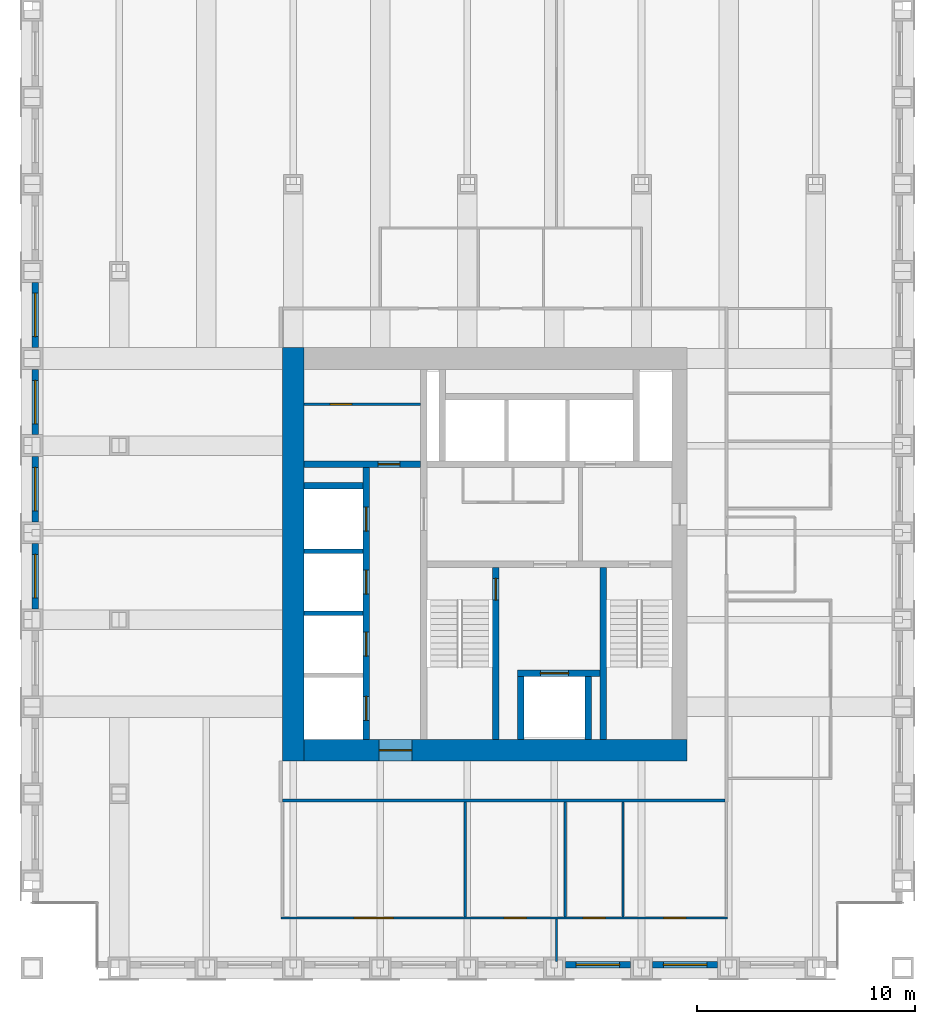
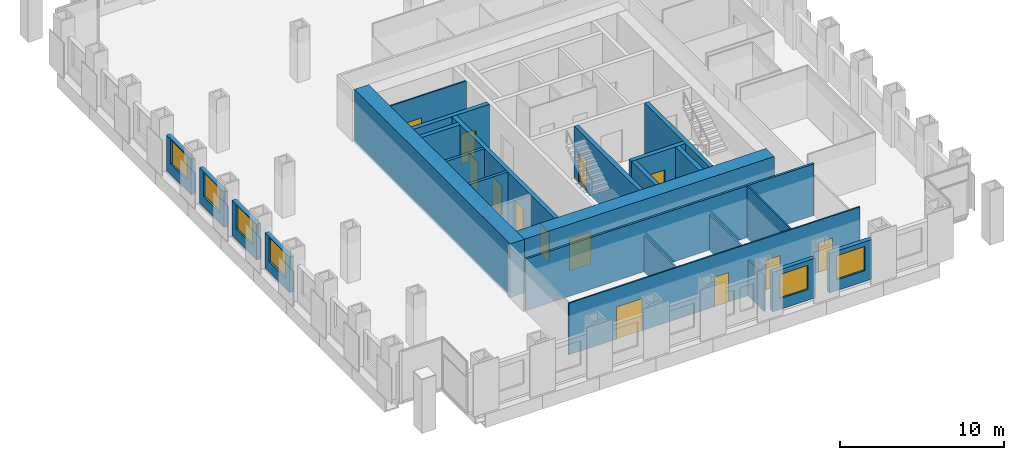
# One storey, part 9 of 13: 25 walls, 13 doors, 6 windows, 19 openings.
"""IFC4 building model written with IfcOpenShell, lengths in metres."""

from ifc_helpers import new_model, si_unit, direction, frame, frame_2d, origin, place, context, subcontext, project, spatial, rectangle, extrude, material, layer, layer_set, type_object, element, fill, save


model = new_model("IFC4")

# Units and contexts
model_context = context("Model", 3, precision=1e-05, world=origin(), true_north=direction((0.0, 1.0)))
body_context = subcontext(model_context, "Body", "Model", "MODEL_VIEW")
ifc_project = project(units=[si_unit("LENGTHUNIT", "METRE"), si_unit("AREAUNIT", "SQUARE_METRE"), si_unit("VOLUMEUNIT", "CUBIC_METRE"), si_unit("PLANEANGLEUNIT", "RADIAN"), si_unit("MASSUNIT", "GRAM", prefix="KILO")], contexts=[model_context])

# Site, building, storey
site_placement = place(None, origin())
site = spatial("IfcSite", under=ifc_project, at=site_placement, CompositionType="ELEMENT")
building_placement = place(site_placement, origin())
building = spatial("IfcBuilding", under=site, at=building_placement, Name="Rimbunsela Tower", CompositionType="ELEMENT")
storey_placement = place(building_placement, frame((0.0, 0.0, 199.800048828125)))
storey = spatial("IfcBuildingStorey", under=building, at=storey_placement, Name="L48", CompositionType="ELEMENT", Elevation=199.800048828125)

# Wall, opening, door
ifc_material_1 = material(Name="Concrete fc' 80 MPa", Category="concrete")
ifc_layer_1 = layer(ifc_material_1, 0.300048828125)
ifc_layer_set_1 = layer_set([ifc_layer_1], Name="Core internal wall 300")
wall_type_1 = type_object("IfcWallType", Name="Core internal wall 300", PredefinedType="SHEAR", material=ifc_layer_set_1)
wall_1_placement = place(storey_placement, frame((27.300048828125, 18.5, -0.150146484375), z_axis=(0.0, 0.0, 1.0), x_axis=(0.0, 1.0, 0.0)))
wall_1 = element("IfcWall", 1, at=wall_1_placement, inside=storey, type_object=wall_type_1, Name="Stair A enclosure", PredefinedType="SHEAR", context=body_context, shape_type="SweptSolid", body=[
    extrude(rectangle(XDim=7.89990234375, YDim=0.300048828125, at=frame_2d((3.949951171875, 0.0))), origin(), (0.0, 0.0, 1.0), 4.0),
])
opening_1_placement = place(wall_1_placement, frame((6.39990234375, 0.0, 0.14990234375)))
opening_1 = element("IfcOpeningElement", 2, at=opening_1_placement, cuts=wall_1, Name="Opening D01", PredefinedType="OPENING", context=body_context, shape_type="SweptSolid", body=[
    extrude(rectangle(XDim=1.0, YDim=2.199951171875, at=frame_2d((0.5, 1.10009765625))), frame((0.0, 0.159912109375, 0.0), z_axis=(0.0, -1.0, 0.0), x_axis=(1.0, 0.0, 0.0)), (0.0, 0.0, 1.0), 0.320068359375),
])
ifc_material_2 = material(Name="Steel door, fire rated", Category="steel")
door_type_1 = type_object("IfcDoorType", Name="Stair door 1000", OperationType="SINGLE_SWING_RIGHT", PredefinedType="DOOR", material=ifc_material_2)
door_1_placement = place(opening_1_placement, origin())
door_1 = element("IfcDoor", 3, at=door_1_placement, inside=storey, type_object=door_type_1, Name="Stair A door", OperationType="SINGLE_SWING_RIGHT", OverallHeight=2.199951171875, OverallWidth=1.0, PredefinedType="DOOR", context=body_context, shape_type="SweptSolid", body=[
    extrude(rectangle(XDim=1.0, YDim=2.199951171875, at=frame_2d((0.5, 1.10009765625))), frame((0.0, 0.02490234375, 0.0), z_axis=(0.0, -1.0, 0.0), x_axis=(1.0, 0.0, 0.0)), (0.0, 0.0, 1.0), 0.050048828125),
])
fill(opening_1, door_1)

# Walls
wall_2_placement = place(storey_placement, frame((32.25, 18.5, -0.150146484375), z_axis=(0.0, 0.0, 1.0), x_axis=(0.0, 1.0, 0.0)))
element("IfcWall", 4, at=wall_2_placement, inside=storey, type_object=wall_type_1, Name="Stair B enclosure", PredefinedType="SHEAR", context=body_context, shape_type="SweptSolid", body=[
    extrude(rectangle(XDim=7.89990234375, YDim=0.300048828125, at=frame_2d((3.949951171875, 0.0))), origin(), (0.0, 0.0, 1.0), 4.0),
])
for number, where, z_axis, x_axis, name in (
    (5, (28.449951171875, 18.5, -0.150146484375), (0.0, 0.0, 1.0), (0.0, 1.0, 0.0), "Firefighting lift shaft west"),
    (6, (31.550048828125, 18.5, -0.150146484375), (0.0, 0.0, 1.0), (0.0, 1.0, 0.0), "Firefighting lift shaft east"),
):
    element("IfcWall", number, at=place(storey_placement, frame(where, z_axis=z_axis, x_axis=x_axis)), inside=storey, type_object=wall_type_1, Name=name, PredefinedType="SHEAR", context=body_context, shape_type="SweptSolid", body=[
        extrude(rectangle(XDim=2.89990234375, YDim=0.300048828125, at=frame_2d((1.449951171875, 0.0))), origin(), (0.0, 0.0, 1.0), 4.0),
    ])

# Wall, opening, door
wall_3_placement = place(storey_placement, frame((28.300048828125, 21.550048828125, -0.150146484375), z_axis=(0.0, 0.0, 1.0), x_axis=(1.0, 0.0, 0.0)))
wall_3 = element("IfcWall", 7, at=wall_3_placement, inside=storey, type_object=wall_type_1, Name="Firefighting lift shaft front", PredefinedType="SHEAR", context=body_context, shape_type="SweptSolid", body=[
    extrude(rectangle(XDim=3.800048828125, YDim=0.300048828125, at=frame_2d((1.89990234375, 0.0))), origin(), (0.0, 0.0, 1.0), 4.0),
])
opening_2_placement = place(wall_3_placement, frame((1.050048828125, 0.0, 0.14990234375)))
opening_2 = element("IfcOpeningElement", 8, at=opening_2_placement, cuts=wall_3, Name="Opening LD2", PredefinedType="OPENING", context=body_context, shape_type="SweptSolid", body=[
    extrude(rectangle(XDim=1.300048828125, YDim=2.39990234375, at=frame_2d((0.64990234375, 1.199951171875))), frame((0.0, 0.159912109375, 0.0), z_axis=(0.0, -1.0, 0.0), x_axis=(1.0, 0.0, 0.0)), (0.0, 0.0, 1.0), 0.320068359375),
])
ifc_material_3 = material(Name="Steel door, fire rated", Category="steel")
door_type_2 = type_object("IfcDoorType", Name="Lift landing door 1300", OperationType="DOUBLE_DOOR_SLIDING", PredefinedType="DOOR", material=ifc_material_3)
door_2_placement = place(opening_2_placement, origin())
door_2 = element("IfcDoor", 9, at=door_2_placement, inside=storey, type_object=door_type_2, Name="Lift landing door FL1", OperationType="DOUBLE_DOOR_SLIDING", OverallHeight=2.39990234375, OverallWidth=1.300048828125, PredefinedType="DOOR", context=body_context, shape_type="SweptSolid", body=[
    extrude(rectangle(XDim=1.300048828125, YDim=2.39990234375, at=frame_2d((0.64990234375, 1.199951171875))), frame((0.0, 0.02490234375, 0.0), z_axis=(0.0, -1.0, 0.0), x_axis=(1.0, 0.0, 0.0)), (0.0, 0.0, 1.0), 0.050048828125),
])
fill(opening_2, door_2)

# Wall, openings, doors
wall_4_placement = place(storey_placement, frame((21.35009765625, 18.5, -0.150146484375), z_axis=(0.0, 0.0, 1.0), x_axis=(0.0, 1.0, 0.0)))
wall_4 = element("IfcWall", 10, at=wall_4_placement, inside=storey, type_object=wall_type_1, Name="Lift shaft front west", PredefinedType="SHEAR", context=body_context, shape_type="SweptSolid", body=[
    extrude(rectangle(XDim=12.5, YDim=0.300048828125, at=frame_2d((6.25, 0.0))), origin(), (0.0, 0.0, 1.0), 4.0),
])
opening_3_placement = place(wall_4_placement, frame((0.875, 0.0, 0.14990234375)))
opening_3 = element("IfcOpeningElement", 11, at=opening_3_placement, cuts=wall_4, Name="Opening LD1", PredefinedType="OPENING", context=body_context, shape_type="SweptSolid", body=[
    extrude(rectangle(XDim=1.10009765625, YDim=2.199951171875, at=frame_2d((0.550048828125, 1.10009765625))), frame((0.0, 0.159912109375, 0.0), z_axis=(0.0, -1.0, 0.0), x_axis=(1.0, 0.0, 0.0)), (0.0, 0.0, 1.0), 0.320068359375),
])
opening_4_placement = place(wall_4_placement, frame((3.824951171875, 0.0, 0.14990234375)))
opening_4 = element("IfcOpeningElement", 12, at=opening_4_placement, cuts=wall_4, Name="Opening LD1", PredefinedType="OPENING", context=body_context, shape_type="SweptSolid", body=[
    extrude(rectangle(XDim=1.10009765625, YDim=2.199951171875, at=frame_2d((0.550048828125, 1.10009765625))), frame((0.0, 0.159912109375, 0.0), z_axis=(0.0, -1.0, 0.0), x_axis=(1.0, 0.0, 0.0)), (0.0, 0.0, 1.0), 0.320068359375),
])
opening_5_placement = place(wall_4_placement, frame((6.675048828125, 0.0, 0.14990234375)))
opening_5 = element("IfcOpeningElement", 13, at=opening_5_placement, cuts=wall_4, Name="Opening LD1", PredefinedType="OPENING", context=body_context, shape_type="SweptSolid", body=[
    extrude(rectangle(XDim=1.10009765625, YDim=2.199951171875, at=frame_2d((0.550048828125, 1.10009765625))), frame((0.0, 0.159912109375, 0.0), z_axis=(0.0, -1.0, 0.0), x_axis=(1.0, 0.0, 0.0)), (0.0, 0.0, 1.0), 0.320068359375),
])
opening_6_placement = place(wall_4_placement, frame((9.574951171875, 0.0, 0.14990234375)))
opening_6 = element("IfcOpeningElement", 14, at=opening_6_placement, cuts=wall_4, Name="Opening LD1", PredefinedType="OPENING", context=body_context, shape_type="SweptSolid", body=[
    extrude(rectangle(XDim=1.10009765625, YDim=2.199951171875, at=frame_2d((0.550048828125, 1.10009765625))), frame((0.0, 0.159912109375, 0.0), z_axis=(0.0, -1.0, 0.0), x_axis=(1.0, 0.0, 0.0)), (0.0, 0.0, 1.0), 0.320068359375),
])
ifc_material_4 = material(Name="Steel door, fire rated", Category="steel")
door_type_3 = type_object("IfcDoorType", Name="Lift landing door 1100", OperationType="DOUBLE_DOOR_SLIDING", PredefinedType="DOOR", material=ifc_material_4)
door_3_placement = place(opening_3_placement, origin())
door_3 = element("IfcDoor", 15, at=door_3_placement, inside=storey, type_object=door_type_3, Name="Lift landing door HL1", OperationType="DOUBLE_DOOR_SLIDING", OverallHeight=2.199951171875, OverallWidth=1.10009765625, PredefinedType="DOOR", context=body_context, shape_type="SweptSolid", body=[
    extrude(rectangle(XDim=1.10009765625, YDim=2.199951171875, at=frame_2d((0.550048828125, 1.10009765625))), frame((0.0, 0.02490234375, 0.0), z_axis=(0.0, -1.0, 0.0), x_axis=(1.0, 0.0, 0.0)), (0.0, 0.0, 1.0), 0.050048828125),
])
fill(opening_3, door_3)
door_4_placement = place(opening_4_placement, origin())
door_4 = element("IfcDoor", 16, at=door_4_placement, inside=storey, type_object=door_type_3, Name="Lift landing door HL2", OperationType="DOUBLE_DOOR_SLIDING", OverallHeight=2.199951171875, OverallWidth=1.10009765625, PredefinedType="DOOR", context=body_context, shape_type="SweptSolid", body=[
    extrude(rectangle(XDim=1.10009765625, YDim=2.199951171875, at=frame_2d((0.550048828125, 1.10009765625))), frame((0.0, 0.02490234375, 0.0), z_axis=(0.0, -1.0, 0.0), x_axis=(1.0, 0.0, 0.0)), (0.0, 0.0, 1.0), 0.050048828125),
])
fill(opening_4, door_4)
door_5_placement = place(opening_5_placement, origin())
door_5 = element("IfcDoor", 17, at=door_5_placement, inside=storey, type_object=door_type_3, Name="Lift landing door HL3", OperationType="DOUBLE_DOOR_SLIDING", OverallHeight=2.199951171875, OverallWidth=1.10009765625, PredefinedType="DOOR", context=body_context, shape_type="SweptSolid", body=[
    extrude(rectangle(XDim=1.10009765625, YDim=2.199951171875, at=frame_2d((0.550048828125, 1.10009765625))), frame((0.0, 0.02490234375, 0.0), z_axis=(0.0, -1.0, 0.0), x_axis=(1.0, 0.0, 0.0)), (0.0, 0.0, 1.0), 0.050048828125),
])
fill(opening_5, door_5)
door_6_placement = place(opening_6_placement, origin())
door_6 = element("IfcDoor", 18, at=door_6_placement, inside=storey, type_object=door_type_3, Name="Lift landing door HL4", OperationType="DOUBLE_DOOR_SLIDING", OverallHeight=2.199951171875, OverallWidth=1.10009765625, PredefinedType="DOOR", context=body_context, shape_type="SweptSolid", body=[
    extrude(rectangle(XDim=1.10009765625, YDim=2.199951171875, at=frame_2d((0.550048828125, 1.10009765625))), frame((0.0, 0.02490234375, 0.0), z_axis=(0.0, -1.0, 0.0), x_axis=(1.0, 0.0, 0.0)), (0.0, 0.0, 1.0), 0.050048828125),
])
fill(opening_6, door_6)

# Wall, opening, door
wall_5_placement = place(storey_placement, frame((18.5, 31.14990234375, -0.150146484375), z_axis=(0.0, 0.0, 1.0), x_axis=(1.0, 0.0, 0.0)))
wall_5 = element("IfcWall", 19, at=wall_5_placement, inside=storey, type_object=wall_type_1, Name="Store wall", PredefinedType="SHEAR", context=body_context, shape_type="SweptSolid", body=[
    extrude(rectangle(XDim=5.35009765625, YDim=0.300048828125, at=frame_2d((2.675048828125, 0.0))), origin(), (0.0, 0.0, 1.0), 4.0),
])
opening_7_placement = place(wall_5_placement, frame((3.39990234375, 0.0, 0.14990234375)))
opening_7 = element("IfcOpeningElement", 20, at=opening_7_placement, cuts=wall_5, Name="Opening D19", PredefinedType="OPENING", context=body_context, shape_type="SweptSolid", body=[
    extrude(rectangle(XDim=1.0, YDim=2.199951171875, at=frame_2d((0.5, 1.10009765625))), frame((0.0, 0.159912109375, 0.0), z_axis=(0.0, -1.0, 0.0), x_axis=(1.0, 0.0, 0.0)), (0.0, 0.0, 1.0), 0.320068359375),
])
ifc_material_5 = material(Name="Steel door, fire rated", Category="steel")
door_type_4 = type_object("IfcDoorType", Name="Service door 1000 fire rated", OperationType="SINGLE_SWING_LEFT", PredefinedType="DOOR", material=ifc_material_5)
door_7_placement = place(opening_7_placement, origin())
door_7 = element("IfcDoor", 21, at=door_7_placement, inside=storey, type_object=door_type_4, Name="Cleaners store door", OperationType="SINGLE_SWING_LEFT", OverallHeight=2.199951171875, OverallWidth=1.0, PredefinedType="DOOR", context=body_context, shape_type="SweptSolid", body=[
    extrude(rectangle(XDim=1.0, YDim=2.199951171875, at=frame_2d((0.5, 1.10009765625))), frame((0.0, 0.02490234375, 0.0), z_axis=(0.0, -1.0, 0.0), x_axis=(1.0, 0.0, 0.0)), (0.0, 0.0, 1.0), 0.050048828125),
])
fill(opening_7, door_7)

# Wall
wall_6_placement = place(storey_placement, frame((18.5, 30.14990234375, -0.150146484375), z_axis=(0.0, 0.0, 1.0), x_axis=(1.0, 0.0, 0.0)))
element("IfcWall", 22, at=wall_6_placement, inside=storey, type_object=wall_type_1, Name="Lift shaft rear west", PredefinedType="SHEAR", context=body_context, shape_type="SweptSolid", body=[
    extrude(rectangle(XDim=2.699951171875, YDim=0.300048828125, at=frame_2d((1.35009765625, 0.0))), origin(), (0.0, 0.0, 1.0), 4.0),
])

# Wall, opening, door
ifc_material_6 = material(Name="Concrete blockwork", Category="masonry")
ifc_layer_2 = layer(ifc_material_6, 0.10009765625)
ifc_layer_set_2 = layer_set([ifc_layer_2], Name="Core room partition 100")
wall_type_2 = type_object("IfcWallType", Name="Core room partition 100", PredefinedType="PARTITIONING", material=ifc_layer_set_2)
wall_7_placement = place(storey_placement, frame((18.5, 33.89990234375, 0.0), z_axis=(0.0, 0.0, 1.0), x_axis=(1.0, 0.0, 0.0)))
wall_7 = element("IfcWall", 23, at=wall_7_placement, inside=storey, type_object=wall_type_2, Name="Tenant store wall", PredefinedType="PARTITIONING", context=body_context, shape_type="SweptSolid", body=[
    extrude(rectangle(XDim=5.35009765625, YDim=0.10009765625, at=frame_2d((2.675048828125, 0.0))), origin(), (0.0, 0.0, 1.0), 3.849853515625),
])
opening_8_placement = place(wall_7_placement, frame((1.199951171875, 0.0, 0.0)))
opening_8 = element("IfcOpeningElement", 24, at=opening_8_placement, cuts=wall_7, Name="Opening D19", PredefinedType="OPENING", context=body_context, shape_type="SweptSolid", body=[
    extrude(rectangle(XDim=1.0, YDim=2.199951171875, at=frame_2d((0.5, 1.10009765625))), frame((0.0, 0.06005859375, 0.0), z_axis=(0.0, -1.0, 0.0), x_axis=(1.0, 0.0, 0.0)), (0.0, 0.0, 1.0), 0.1201171875),
])
door_8_placement = place(opening_8_placement, origin())
door_8 = element("IfcDoor", 25, at=door_8_placement, inside=storey, type_object=door_type_4, Name="Tenant store door", OperationType="SINGLE_SWING_LEFT", OverallHeight=2.199951171875, OverallWidth=1.0, PredefinedType="DOOR", context=body_context, shape_type="SweptSolid", body=[
    extrude(rectangle(XDim=1.0, YDim=2.199951171875, at=frame_2d((0.5, 1.10009765625))), frame((0.0, 0.02490234375, 0.0), z_axis=(0.0, -1.0, 0.0), x_axis=(1.0, 0.0, 0.0)), (0.0, 0.0, 1.0), 0.050048828125),
])
fill(opening_8, door_8)

# Wall
ifc_material_7 = material(Name="Concrete fc' 80 MPa", Category="concrete")
ifc_layer_3 = layer(ifc_material_7, 1.0)
ifc_layer_set_3 = layer_set([ifc_layer_3], Name="Core wall 1000")
wall_type_3 = type_object("IfcWallType", Name="Core wall 1000", PredefinedType="SHEAR", material=ifc_layer_set_3)
wall_8_placement = place(storey_placement, frame((18.0, 17.5, -0.150146484375), z_axis=(0.0, 0.0, 1.0), x_axis=(0.0, 1.0, 0.0)))
element("IfcWall", 26, at=wall_8_placement, inside=storey, type_object=wall_type_3, Name="Core wall west", PredefinedType="SHEAR", context=body_context, shape_type="SweptSolid", body=[
    extrude(rectangle(XDim=19.0, YDim=1.0, at=frame_2d((9.5, 0.0))), origin(), (0.0, 0.0, 1.0), 4.0),
])

# Wall, opening, door
wall_9_placement = place(storey_placement, frame((18.5, 18.0, -0.150146484375), z_axis=(0.0, 0.0, 1.0), x_axis=(1.0, 0.0, 0.0)))
wall_9 = element("IfcWall", 27, at=wall_9_placement, inside=storey, type_object=wall_type_3, Name="Core wall south", PredefinedType="SHEAR", context=body_context, shape_type="SweptSolid", body=[
    extrude(rectangle(XDim=17.60009765625, YDim=1.0, at=frame_2d((8.800048828125, 0.0))), origin(), (0.0, 0.0, 1.0), 4.0),
])
opening_9_placement = place(wall_9_placement, frame((3.449951171875, 0.0, 0.14990234375)))
opening_9 = element("IfcOpeningElement", 28, at=opening_9_placement, cuts=wall_9, Name="Opening D03", PredefinedType="OPENING", context=body_context, shape_type="SweptSolid", body=[
    extrude(rectangle(XDim=1.5, YDim=2.39990234375, at=frame_2d((0.75, 1.199951171875))), frame((0.0, 0.510009765625, 0.0), z_axis=(0.0, -1.0, 0.0), x_axis=(1.0, 0.0, 0.0)), (0.0, 0.0, 1.0), 1.02001953125),
])
ifc_material_8 = material(Name="Steel door, fire rated", Category="steel")
door_type_5 = type_object("IfcDoorType", Name="Core lobby door 1500", OperationType="DOUBLE_DOOR_DOUBLE_SWING", PredefinedType="DOOR", material=ifc_material_8)
door_9_placement = place(opening_9_placement, origin())
door_9 = element("IfcDoor", 29, at=door_9_placement, inside=storey, type_object=door_type_5, Name="Core door south", OperationType="DOUBLE_DOOR_DOUBLE_SWING", OverallHeight=2.39990234375, OverallWidth=1.5, PredefinedType="DOOR", context=body_context, shape_type="SweptSolid", body=[
    extrude(rectangle(XDim=1.5, YDim=2.39990234375, at=frame_2d((0.75, 1.199951171875))), frame((0.0, 0.02490234375, 0.0), z_axis=(0.0, -1.0, 0.0), x_axis=(1.0, 0.0, 0.0)), (0.0, 0.0, 1.0), 0.050048828125),
])
fill(opening_9, door_9)

# Walls
ifc_material_9 = material(Name="Concrete blockwork", Category="masonry")
ifc_layer_4 = layer(ifc_material_9, 0.199951171875)
ifc_layer_set_4 = layer_set([ifc_layer_4], Name="Lift shaft wall 200")
wall_type_4 = type_object("IfcWallType", Name="Lift shaft wall 200", PredefinedType="SOLIDWALL", material=ifc_layer_set_4)
for number, where, z_axis, x_axis, name in (
    (30, (18.5, 24.300048828125, -0.150146484375), (0.0, 0.0, 1.0), (1.0, 0.0, 0.0), "Lift shaft separation"),
    (31, (18.5, 27.14990234375, -0.150146484375), (0.0, 0.0, 1.0), (1.0, 0.0, 0.0), "Lift shaft separation"),
):
    element("IfcWall", number, at=place(storey_placement, frame(where, z_axis=z_axis, x_axis=x_axis)), inside=storey, type_object=wall_type_4, Name=name, PredefinedType="SOLIDWALL", context=body_context, shape_type="SweptSolid", body=[
        extrude(rectangle(XDim=2.699951171875, YDim=0.199951171875, at=frame_2d((1.35009765625, 0.0))), origin(), (0.0, 0.0, 1.0), 4.0),
    ])

# Wall, openings, doors
ifc_material_10 = material(Name="Gypsum board on steel studs", Category="steel")
ifc_layer_5 = layer(ifc_material_10, 0.10009765625)
ifc_layer_set_5 = layer_set([ifc_layer_5], Name="Office partition 100")
wall_type_5 = type_object("IfcWallType", Name="Office partition 100", PredefinedType="PARTITIONING", material=ifc_layer_set_5)
wall_10_placement = place(storey_placement, frame((17.449951171875, 10.300048828125, 0.0), z_axis=(0.0, 0.0, 1.0), x_axis=(1.0, 0.0, 0.0)))
wall_10 = element("IfcWall", 32, at=wall_10_placement, inside=storey, type_object=wall_type_5, Name="Office partition", PredefinedType="PARTITIONING", context=body_context, shape_type="SweptSolid", body=[
    extrude(rectangle(XDim=20.5, YDim=0.10009765625, at=frame_2d((10.25, 0.0))), origin(), (0.0, 0.0, 1.0), 3.849853515625),
])
opening_10_placement = place(wall_10_placement, frame((3.35009765625, 0.0, 0.0)))
opening_10 = element("IfcOpeningElement", 33, at=opening_10_placement, cuts=wall_10, Name="Opening D18", PredefinedType="OPENING", context=body_context, shape_type="SweptSolid", body=[
    extrude(rectangle(XDim=1.800048828125, YDim=2.39990234375, at=frame_2d((0.89990234375, 1.199951171875))), frame((0.0, 0.06005859375, 0.0), z_axis=(0.0, -1.0, 0.0), x_axis=(1.0, 0.0, 0.0)), (0.0, 0.0, 1.0), 0.1201171875),
])
opening_11_placement = place(wall_10_placement, frame((10.25, 0.0, 0.0)))
opening_11 = element("IfcOpeningElement", 34, at=opening_11_placement, cuts=wall_10, Name="Opening D16", PredefinedType="OPENING", context=body_context, shape_type="SweptSolid", body=[
    extrude(rectangle(XDim=1.0, YDim=2.199951171875, at=frame_2d((0.5, 1.10009765625))), frame((0.0, 0.06005859375, 0.0), z_axis=(0.0, -1.0, 0.0), x_axis=(1.0, 0.0, 0.0)), (0.0, 0.0, 1.0), 0.1201171875),
])
opening_12_placement = place(wall_10_placement, frame((13.875, 0.0, 0.0)))
opening_12 = element("IfcOpeningElement", 35, at=opening_12_placement, cuts=wall_10, Name="Opening D16", PredefinedType="OPENING", context=body_context, shape_type="SweptSolid", body=[
    extrude(rectangle(XDim=1.0, YDim=2.199951171875, at=frame_2d((0.5, 1.10009765625))), frame((0.0, 0.06005859375, 0.0), z_axis=(0.0, -1.0, 0.0), x_axis=(1.0, 0.0, 0.0)), (0.0, 0.0, 1.0), 0.1201171875),
])
opening_13_placement = place(wall_10_placement, frame((17.574951171875, 0.0, 0.0)))
opening_13 = element("IfcOpeningElement", 36, at=opening_13_placement, cuts=wall_10, Name="Opening D16", PredefinedType="OPENING", context=body_context, shape_type="SweptSolid", body=[
    extrude(rectangle(XDim=1.0, YDim=2.199951171875, at=frame_2d((0.5, 1.10009765625))), frame((0.0, 0.06005859375, 0.0), z_axis=(0.0, -1.0, 0.0), x_axis=(1.0, 0.0, 0.0)), (0.0, 0.0, 1.0), 0.1201171875),
])
ifc_material_11 = material(Name="Glazed aluminium door", Category="aluminium")
door_type_6 = type_object("IfcDoorType", Name="Boardroom door 1800 glazed", OperationType="DOUBLE_DOOR_DOUBLE_SWING", PredefinedType="DOOR", material=ifc_material_11)
door_10_placement = place(opening_10_placement, origin())
door_10 = element("IfcDoor", 37, at=door_10_placement, inside=storey, type_object=door_type_6, Name="Boardroom door", OperationType="DOUBLE_DOOR_DOUBLE_SWING", OverallHeight=2.39990234375, OverallWidth=1.800048828125, PredefinedType="DOOR", context=body_context, shape_type="SweptSolid", body=[
    extrude(rectangle(XDim=1.800048828125, YDim=2.39990234375, at=frame_2d((0.89990234375, 1.199951171875))), frame((0.0, 0.02490234375, 0.0), z_axis=(0.0, -1.0, 0.0), x_axis=(1.0, 0.0, 0.0)), (0.0, 0.0, 1.0), 0.050048828125),
])
fill(opening_10, door_10)
ifc_material_12 = material(Name="Timber door", Category="wood")
door_type_7 = type_object("IfcDoorType", Name="Office door 1000", OperationType="SINGLE_SWING_LEFT", PredefinedType="DOOR", material=ifc_material_12)
door_11_placement = place(opening_11_placement, origin())
door_11 = element("IfcDoor", 38, at=door_11_placement, inside=storey, type_object=door_type_7, Name="Office door", OperationType="SINGLE_SWING_LEFT", OverallHeight=2.199951171875, OverallWidth=1.0, PredefinedType="DOOR", context=body_context, shape_type="SweptSolid", body=[
    extrude(rectangle(XDim=1.0, YDim=2.199951171875, at=frame_2d((0.5, 1.10009765625))), frame((0.0, 0.02490234375, 0.0), z_axis=(0.0, -1.0, 0.0), x_axis=(1.0, 0.0, 0.0)), (0.0, 0.0, 1.0), 0.050048828125),
])
fill(opening_11, door_11)
door_12_placement = place(opening_12_placement, origin())
door_12 = element("IfcDoor", 39, at=door_12_placement, inside=storey, type_object=door_type_7, Name="Office door", OperationType="SINGLE_SWING_LEFT", OverallHeight=2.199951171875, OverallWidth=1.0, PredefinedType="DOOR", context=body_context, shape_type="SweptSolid", body=[
    extrude(rectangle(XDim=1.0, YDim=2.199951171875, at=frame_2d((0.5, 1.10009765625))), frame((0.0, 0.02490234375, 0.0), z_axis=(0.0, -1.0, 0.0), x_axis=(1.0, 0.0, 0.0)), (0.0, 0.0, 1.0), 0.050048828125),
])
fill(opening_12, door_12)
door_13_placement = place(opening_13_placement, origin())
door_13 = element("IfcDoor", 40, at=door_13_placement, inside=storey, type_object=door_type_7, Name="Office door", OperationType="SINGLE_SWING_LEFT", OverallHeight=2.199951171875, OverallWidth=1.0, PredefinedType="DOOR", context=body_context, shape_type="SweptSolid", body=[
    extrude(rectangle(XDim=1.0, YDim=2.199951171875, at=frame_2d((0.5, 1.10009765625))), frame((0.0, 0.02490234375, 0.0), z_axis=(0.0, -1.0, 0.0), x_axis=(1.0, 0.0, 0.0)), (0.0, 0.0, 1.0), 0.050048828125),
])
fill(opening_13, door_13)

# Walls
for number, where, z_axis, x_axis, name in (
    (41, (25.89990234375, 10.35009765625, 0.0), (0.0, 0.0, 1.0), (0.0, 1.0, 0.0), "Office partition"),
    (42, (30.5, 10.35009765625, 0.0), (0.0, 0.0, 1.0), (0.0, 1.0, 0.0), "Office partition"),
):
    element("IfcWall", number, at=place(storey_placement, frame(where, z_axis=z_axis, x_axis=x_axis)), inside=storey, type_object=wall_type_5, Name=name, PredefinedType="PARTITIONING", context=body_context, shape_type="SweptSolid", body=[
        extrude(rectangle(XDim=5.27490234375, YDim=0.10009765625, at=frame_2d((2.637451171875, 0.0))), origin(), (0.0, 0.0, 1.0), 2.64990234375),
    ])
wall_11_placement = place(storey_placement, frame((33.14990234375, 10.35009765625, 0.0), z_axis=(0.0, 0.0, 1.0), x_axis=(0.0, 1.0, 0.0)))
element("IfcWall", 43, at=wall_11_placement, inside=storey, type_object=wall_type_5, Name="Office partition", PredefinedType="PARTITIONING", context=body_context, shape_type="SweptSolid", body=[
    extrude(rectangle(XDim=5.27490234375, YDim=0.10009765625, at=frame_2d((2.637451171875, 0.0))), origin(), (0.0, 0.0, 1.0), 3.849853515625),
])
wall_12_placement = place(storey_placement, frame((30.10009765625, 10.25, 0.0), z_axis=(0.0, 0.0, 1.0), x_axis=(0.0, -1.0, 0.0)))
element("IfcWall", 44, at=wall_12_placement, inside=storey, type_object=wall_type_5, Name="Office partition", PredefinedType="PARTITIONING", context=body_context, shape_type="SweptSolid", body=[
    extrude(rectangle(XDim=1.949951171875, YDim=0.10009765625, at=frame_2d((0.97509765625, 0.0))), origin(), (0.0, 0.0, 1.0), 2.64990234375),
])

# Wall, opening, window
ifc_material_13 = material(Name="Precast concrete fc' 35 MPa", Category="concrete")
ifc_layer_6 = layer(ifc_material_13, 0.300048828125)
ifc_layer_set_6 = layer_set([ifc_layer_6], Name="Precast concrete fc' 35 MPa")
wall_type_6 = type_object("IfcWallType", Name="Precast facade panel 300", PredefinedType="ELEMENTEDWALL", material=ifc_layer_set_6)
wall_13_placement = place(storey_placement, frame((30.5, 8.14990234375, 0.0), z_axis=(0.0, 0.0, 1.0), x_axis=(1.0, 0.0, 0.0)))
wall_13 = element("IfcWall", 45, at=wall_13_placement, inside=storey, type_object=wall_type_6, Name="Facade panel S L48", PredefinedType="ELEMENTEDWALL", context=body_context, shape_type="SweptSolid", body=[
    extrude(rectangle(XDim=3.0, YDim=0.300048828125, at=frame_2d((1.5, 0.0))), origin(), (0.0, 0.0, 1.0), 2.949951171875),
])
opening_14_placement = place(wall_13_placement, frame((0.5, 0.0, 0.800048828125)))
opening_14 = element("IfcOpeningElement", 46, at=opening_14_placement, cuts=wall_13, Name="Opening W7", PredefinedType="OPENING", context=body_context, shape_type="SweptSolid", body=[
    extrude(rectangle(XDim=2.0, YDim=1.800048828125, at=frame_2d((1.0, 0.89990234375))), frame((0.0, 0.159912109375, 0.0), z_axis=(0.0, -1.0, 0.0), x_axis=(1.0, 0.0, 0.0)), (0.0, 0.0, 1.0), 0.320068359375),
])
ifc_material_14 = material(Name="Clear glass in aluminium frame", Category="aluminium")
window_type = type_object("IfcWindowType", Name="Window W7 2000x1800", PartitioningType="DOUBLE_PANEL_VERTICAL", PredefinedType="WINDOW", material=ifc_material_14)
window_1_placement = place(opening_14_placement, origin())
window_1 = element("IfcWindow", 47, at=window_1_placement, inside=storey, type_object=window_type, Name="Window L48", OverallHeight=1.800048828125, OverallWidth=2.0, PartitioningType="SINGLE_PANEL", PredefinedType="WINDOW", context=body_context, shape_type="SweptSolid", body=[
    extrude(rectangle(XDim=2.0, YDim=1.800048828125, at=frame_2d((1.0, 0.89990234375))), frame((0.0, 0.030029296875, 0.0), z_axis=(0.0, -1.0, 0.0), x_axis=(1.0, 0.0, 0.0)), (0.0, 0.0, 1.0), 0.06005859375),
])
fill(opening_14, window_1)

wall_14_placement = place(storey_placement, frame((34.5, 8.14990234375, 0.0), z_axis=(0.0, 0.0, 1.0), x_axis=(1.0, 0.0, 0.0)))
wall_14 = element("IfcWall", 48, at=wall_14_placement, inside=storey, type_object=wall_type_6, Name="Facade panel S L48", PredefinedType="ELEMENTEDWALL", context=body_context, shape_type="SweptSolid", body=[
    extrude(rectangle(XDim=3.0, YDim=0.300048828125, at=frame_2d((1.5, 0.0))), origin(), (0.0, 0.0, 1.0), 2.949951171875),
])
opening_15_placement = place(wall_14_placement, frame((0.5, 0.0, 0.800048828125)))
opening_15 = element("IfcOpeningElement", 49, at=opening_15_placement, cuts=wall_14, Name="Opening W7", PredefinedType="OPENING", context=body_context, shape_type="SweptSolid", body=[
    extrude(rectangle(XDim=2.0, YDim=1.800048828125, at=frame_2d((1.0, 0.89990234375))), frame((0.0, 0.159912109375, 0.0), z_axis=(0.0, -1.0, 0.0), x_axis=(1.0, 0.0, 0.0)), (0.0, 0.0, 1.0), 0.320068359375),
])
window_2_placement = place(opening_15_placement, origin())
window_2 = element("IfcWindow", 50, at=window_2_placement, inside=storey, type_object=window_type, Name="Window L48", OverallHeight=1.800048828125, OverallWidth=2.0, PartitioningType="SINGLE_PANEL", PredefinedType="WINDOW", context=body_context, shape_type="SweptSolid", body=[
    extrude(rectangle(XDim=2.0, YDim=1.800048828125, at=frame_2d((1.0, 0.89990234375))), frame((0.0, 0.030029296875, 0.0), z_axis=(0.0, -1.0, 0.0), x_axis=(1.0, 0.0, 0.0)), (0.0, 0.0, 1.0), 0.06005859375),
])
fill(opening_15, window_2)

wall_15_placement = place(storey_placement, frame((6.14990234375, 27.5, 0.0), z_axis=(0.0, 0.0, 1.0), x_axis=(0.0, -1.0, 0.0)))
wall_15 = element("IfcWall", 51, at=wall_15_placement, inside=storey, type_object=wall_type_6, Name="Facade panel W L48", PredefinedType="ELEMENTEDWALL", context=body_context, shape_type="SweptSolid", body=[
    extrude(rectangle(XDim=3.0, YDim=0.300048828125, at=frame_2d((1.5, 0.0))), origin(), (0.0, 0.0, 1.0), 2.64990234375),
])
opening_16_placement = place(wall_15_placement, frame((0.5, 0.0, 0.800048828125)))
opening_16 = element("IfcOpeningElement", 52, at=opening_16_placement, cuts=wall_15, Name="Opening W7", PredefinedType="OPENING", context=body_context, shape_type="SweptSolid", body=[
    extrude(rectangle(XDim=2.0, YDim=1.800048828125, at=frame_2d((1.0, 0.89990234375))), frame((0.0, 0.159912109375, 0.0), z_axis=(0.0, -1.0, 0.0), x_axis=(1.0, 0.0, 0.0)), (0.0, 0.0, 1.0), 0.320068359375),
])
window_3_placement = place(opening_16_placement, origin())
window_3 = element("IfcWindow", 53, at=window_3_placement, inside=storey, type_object=window_type, Name="Window L48", OverallHeight=1.800048828125, OverallWidth=2.0, PartitioningType="SINGLE_PANEL", PredefinedType="WINDOW", context=body_context, shape_type="SweptSolid", body=[
    extrude(rectangle(XDim=2.0, YDim=1.800048828125, at=frame_2d((1.0, 0.89990234375))), frame((0.0, 0.030029296875, 0.0), z_axis=(0.0, -1.0, 0.0), x_axis=(1.0, 0.0, 0.0)), (0.0, 0.0, 1.0), 0.06005859375),
])
fill(opening_16, window_3)

wall_16_placement = place(storey_placement, frame((6.14990234375, 31.5, 0.0), z_axis=(0.0, 0.0, 1.0), x_axis=(0.0, -1.0, 0.0)))
wall_16 = element("IfcWall", 54, at=wall_16_placement, inside=storey, type_object=wall_type_6, Name="Facade panel W L48", PredefinedType="ELEMENTEDWALL", context=body_context, shape_type="SweptSolid", body=[
    extrude(rectangle(XDim=3.0, YDim=0.300048828125, at=frame_2d((1.5, 0.0))), origin(), (0.0, 0.0, 1.0), 2.64990234375),
])
opening_17_placement = place(wall_16_placement, frame((0.5, 0.0, 0.800048828125)))
opening_17 = element("IfcOpeningElement", 55, at=opening_17_placement, cuts=wall_16, Name="Opening W7", PredefinedType="OPENING", context=body_context, shape_type="SweptSolid", body=[
    extrude(rectangle(XDim=2.0, YDim=1.800048828125, at=frame_2d((1.0, 0.89990234375))), frame((0.0, 0.159912109375, 0.0), z_axis=(0.0, -1.0, 0.0), x_axis=(1.0, 0.0, 0.0)), (0.0, 0.0, 1.0), 0.320068359375),
])
window_4_placement = place(opening_17_placement, origin())
window_4 = element("IfcWindow", 56, at=window_4_placement, inside=storey, type_object=window_type, Name="Window L48", OverallHeight=1.800048828125, OverallWidth=2.0, PartitioningType="SINGLE_PANEL", PredefinedType="WINDOW", context=body_context, shape_type="SweptSolid", body=[
    extrude(rectangle(XDim=2.0, YDim=1.800048828125, at=frame_2d((1.0, 0.89990234375))), frame((0.0, 0.030029296875, 0.0), z_axis=(0.0, -1.0, 0.0), x_axis=(1.0, 0.0, 0.0)), (0.0, 0.0, 1.0), 0.06005859375),
])
fill(opening_17, window_4)

wall_17_placement = place(storey_placement, frame((6.14990234375, 35.5, 0.0), z_axis=(0.0, 0.0, 1.0), x_axis=(0.0, -1.0, 0.0)))
wall_17 = element("IfcWall", 57, at=wall_17_placement, inside=storey, type_object=wall_type_6, Name="Facade panel W L48", PredefinedType="ELEMENTEDWALL", context=body_context, shape_type="SweptSolid", body=[
    extrude(rectangle(XDim=3.0, YDim=0.300048828125, at=frame_2d((1.5, 0.0))), origin(), (0.0, 0.0, 1.0), 2.64990234375),
])
opening_18_placement = place(wall_17_placement, frame((0.5, 0.0, 0.800048828125)))
opening_18 = element("IfcOpeningElement", 58, at=opening_18_placement, cuts=wall_17, Name="Opening W7", PredefinedType="OPENING", context=body_context, shape_type="SweptSolid", body=[
    extrude(rectangle(XDim=2.0, YDim=1.800048828125, at=frame_2d((1.0, 0.89990234375))), frame((0.0, 0.159912109375, 0.0), z_axis=(0.0, -1.0, 0.0), x_axis=(1.0, 0.0, 0.0)), (0.0, 0.0, 1.0), 0.320068359375),
])
window_5_placement = place(opening_18_placement, origin())
window_5 = element("IfcWindow", 59, at=window_5_placement, inside=storey, type_object=window_type, Name="Window L48", OverallHeight=1.800048828125, OverallWidth=2.0, PartitioningType="SINGLE_PANEL", PredefinedType="WINDOW", context=body_context, shape_type="SweptSolid", body=[
    extrude(rectangle(XDim=2.0, YDim=1.800048828125, at=frame_2d((1.0, 0.89990234375))), frame((0.0, 0.030029296875, 0.0), z_axis=(0.0, -1.0, 0.0), x_axis=(1.0, 0.0, 0.0)), (0.0, 0.0, 1.0), 0.06005859375),
])
fill(opening_18, window_5)

wall_18_placement = place(storey_placement, frame((6.14990234375, 39.5, 0.0), z_axis=(0.0, 0.0, 1.0), x_axis=(0.0, -1.0, 0.0)))
wall_18 = element("IfcWall", 60, at=wall_18_placement, inside=storey, type_object=wall_type_6, Name="Facade panel W L48", PredefinedType="ELEMENTEDWALL", context=body_context, shape_type="SweptSolid", body=[
    extrude(rectangle(XDim=3.0, YDim=0.300048828125, at=frame_2d((1.5, 0.0))), origin(), (0.0, 0.0, 1.0), 2.64990234375),
])
opening_19_placement = place(wall_18_placement, frame((0.5, 0.0, 0.800048828125)))
opening_19 = element("IfcOpeningElement", 61, at=opening_19_placement, cuts=wall_18, Name="Opening W7", PredefinedType="OPENING", context=body_context, shape_type="SweptSolid", body=[
    extrude(rectangle(XDim=2.0, YDim=1.800048828125, at=frame_2d((1.0, 0.89990234375))), frame((0.0, 0.159912109375, 0.0), z_axis=(0.0, -1.0, 0.0), x_axis=(1.0, 0.0, 0.0)), (0.0, 0.0, 1.0), 0.320068359375),
])
window_6_placement = place(opening_19_placement, origin())
window_6 = element("IfcWindow", 62, at=window_6_placement, inside=storey, type_object=window_type, Name="Window L48", OverallHeight=1.800048828125, OverallWidth=2.0, PartitioningType="SINGLE_PANEL", PredefinedType="WINDOW", context=body_context, shape_type="SweptSolid", body=[
    extrude(rectangle(XDim=2.0, YDim=1.800048828125, at=frame_2d((1.0, 0.89990234375))), frame((0.0, 0.030029296875, 0.0), z_axis=(0.0, -1.0, 0.0), x_axis=(1.0, 0.0, 0.0)), (0.0, 0.0, 1.0), 0.06005859375),
])
fill(opening_19, window_6)

# Wall
ifc_material_15 = material(Name="Fire-rated gypsum board on steel studs, EI 60", Category="steel")
ifc_layer_7 = layer(ifc_material_15, 0.14990234375)
ifc_layer_set_7 = layer_set([ifc_layer_7], Name="Rated corridor wall 150")
wall_type_7 = type_object("IfcWallType", Name="Rated corridor wall 150", PredefinedType="PARTITIONING", material=ifc_layer_set_7)
wall_19_placement = place(storey_placement, frame((17.5, 15.699951171875, 0.0), z_axis=(0.0, 0.0, 1.0), x_axis=(1.0, 0.0, 0.0)))
element("IfcWall", 63, at=wall_19_placement, inside=storey, type_object=wall_type_7, Name="Corridor wall south", PredefinedType="PARTITIONING", context=body_context, shape_type="SweptSolid", body=[
    extrude(rectangle(XDim=20.324951171875, YDim=0.14990234375, at=frame_2d((10.16259765625, 0.0))), origin(), (0.0, 0.0, 1.0), 3.849853515625),
])

save(model, "model.ifc")
